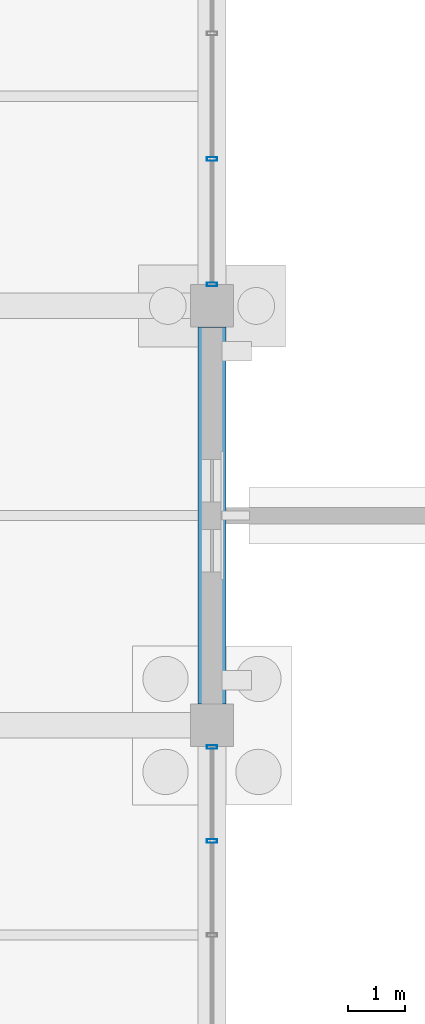
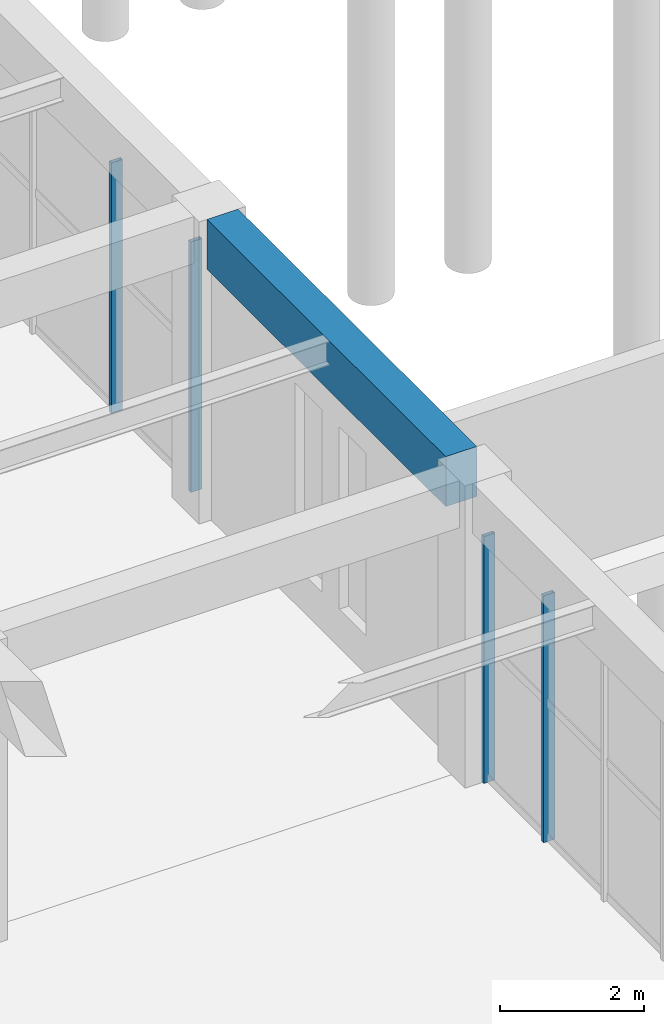
# One storey, part 55 of 140: 4 members, 1 beam, 2 elements without a shape of their own.
"""IFC4 building model written with IfcOpenShell, lengths in metres."""

from ifc_helpers import new_model, si_unit, direction, frame, origin, origin_2d, place, context, subcontext, project, spatial, rectangle, hollow_rectangle, extrude, material, material_profile, profile_set, type_object, element, aggregate, save


model = new_model("IFC4")

# Units and contexts
model_context = context("Model", 3, precision=1e-05, world=origin(), true_north=direction((0.0, 1.0)))
body_context = subcontext(model_context, "Body", "Model", "MODEL_VIEW")
ifc_project = project(units=[si_unit("LENGTHUNIT", "METRE"), si_unit("AREAUNIT", "SQUARE_METRE"), si_unit("VOLUMEUNIT", "CUBIC_METRE"), si_unit("PLANEANGLEUNIT", "RADIAN"), si_unit("MASSUNIT", "GRAM", prefix="KILO")], contexts=[model_context])

# Site, building, storey
site_placement = place(None, origin())
site = spatial("IfcSite", under=ifc_project, at=site_placement, CompositionType="ELEMENT")
building_placement = place(site_placement, origin())
building = spatial("IfcBuilding", under=site, at=building_placement, Name="Cimatlan Art Gallery", CompositionType="ELEMENT")
storey_placement = place(building_placement, origin())
storey = spatial("IfcBuildingStorey", under=building, at=storey_placement, Name="L00", CompositionType="ELEMENT", Elevation=0.0)

# Beam
ifc_material_1 = material(Name="Concrete C40/50", Category="concrete")
ifc_material_profile_1 = material_profile(ifc_material_1, rectangle(XDim=0.5, YDim=0.85009765625, at=origin_2d()), Name="RC500X850")
ifc_profile_set_1 = profile_set([ifc_material_profile_1], Name="Concrete C40/50")
beam_type = type_object("IfcBeamType", Name="BM-RC-500X850", PredefinedType="BEAM", material=ifc_profile_set_1)
beam_placement = place(storey_placement, frame((18.199951171875, 68.675048828125, 4.7099609375), z_axis=(0.0, 1.0, 0.0), x_axis=(-1.0, 0.0, 0.0)))
element("IfcBeam", 1, at=beam_placement, inside=storey, type_object=beam_type, Name="BM-Y-L00-02-09", PredefinedType="BEAM", context=body_context, shape_type="SweptSolid", body=[
    extrude(rectangle(XDim=0.5, YDim=0.85009765625, at=origin_2d()), origin(), (0.0, 0.0, 1.0), 6.64990234375),
])

# Curtain wall, members
ifc_material_2 = material(Name="Anodised bronze unitised curtain wall")
curtain_wall_type_1 = type_object("IfcCurtainWallType", Name="CW-V-06642X04195-B4", PredefinedType="NOTDEFINED", material=ifc_material_2)
curtain_wall_1_placement = place(storey_placement, origin())
curtain_wall_1 = element("IfcCurtainWall", 2, at=curtain_wall_1_placement, inside=storey, type_object=curtain_wall_type_1, Name="CW-L00-01-08-E", PredefinedType="NOTDEFINED")
ifc_material_3 = material(Name="Anodised bronze aluminium 6063-T6", Category="aluminium")
ifc_material_profile_2 = material_profile(ifc_material_3, hollow_rectangle(XDim=0.06494140625, YDim=0.179931640625, WallThickness=0.00390625, at=origin_2d()), Name="ALU65X180X4")
ifc_profile_set_2 = profile_set([ifc_material_profile_2], Name="Anodised bronze aluminium 6063-T6")
member_type = type_object("IfcMemberType", Name="CW-MUL-180", PredefinedType="MULLION", material=ifc_profile_set_2)
member_1_placement = place(storey_placement, frame((18.199951171875, 67.9208984375, 0.0), z_axis=(0.0, 0.0, 1.0), x_axis=(0.0, 1.0, 0.0)))
member_1 = element("IfcMember", 3, at=member_1_placement, type_object=member_type, Name="CW-L00-01-08-E-M1", PredefinedType="MULLION", context=body_context, shape_type="SweptSolid", body=[
    extrude(hollow_rectangle(XDim=0.06494140625, YDim=0.179931640625, WallThickness=0.00390625, at=origin_2d()), origin(), (0.0, 0.0, 1.0), 4.195068359375),
])
member_2_placement = place(storey_placement, frame((18.199951171875, 66.260498046875, 0.0), z_axis=(0.0, 0.0, 1.0), x_axis=(0.0, 1.0, 0.0)))
member_2 = element("IfcMember", 4, at=member_2_placement, type_object=member_type, Name="CW-L00-01-08-E-M2", PredefinedType="MULLION", context=body_context, shape_type="SweptSolid", body=[
    extrude(hollow_rectangle(XDim=0.06494140625, YDim=0.179931640625, WallThickness=0.00390625, at=origin_2d()), origin(), (0.0, 0.0, 1.0), 4.195068359375),
])
aggregate(curtain_wall_1, [member_1, member_2])

curtain_wall_type_2 = type_object("IfcCurtainWallType", Name="CW-V-06642X04255-B3", PredefinedType="NOTDEFINED", material=ifc_material_2)
curtain_wall_2_placement = place(storey_placement, origin())
curtain_wall_2 = element("IfcCurtainWall", 5, at=curtain_wall_2_placement, inside=storey, type_object=curtain_wall_type_2, Name="CW-L00-01-10-E", PredefinedType="NOTDEFINED")
member_3_placement = place(storey_placement, frame((18.199951171875, 78.29296875, 0.0), z_axis=(0.0, 0.0, 1.0), x_axis=(0.0, 1.0, 0.0)))
member_3 = element("IfcMember", 6, at=member_3_placement, type_object=member_type, Name="CW-L00-01-10-E-M3", PredefinedType="MULLION", context=body_context, shape_type="SweptSolid", body=[
    extrude(hollow_rectangle(XDim=0.06494140625, YDim=0.179931640625, WallThickness=0.00390625, at=origin_2d()), origin(), (0.0, 0.0, 1.0), 4.2548828125),
])
member_4_placement = place(storey_placement, frame((18.199951171875, 76.0791015625, 0.0), z_axis=(0.0, 0.0, 1.0), x_axis=(0.0, 1.0, 0.0)))
member_4 = element("IfcMember", 7, at=member_4_placement, type_object=member_type, Name="CW-L00-01-10-E-M4", PredefinedType="MULLION", context=body_context, shape_type="SweptSolid", body=[
    extrude(hollow_rectangle(XDim=0.06494140625, YDim=0.179931640625, WallThickness=0.00390625, at=origin_2d()), origin(), (0.0, 0.0, 1.0), 4.2548828125),
])
aggregate(curtain_wall_2, [member_3, member_4])

save(model, "model.ifc")
